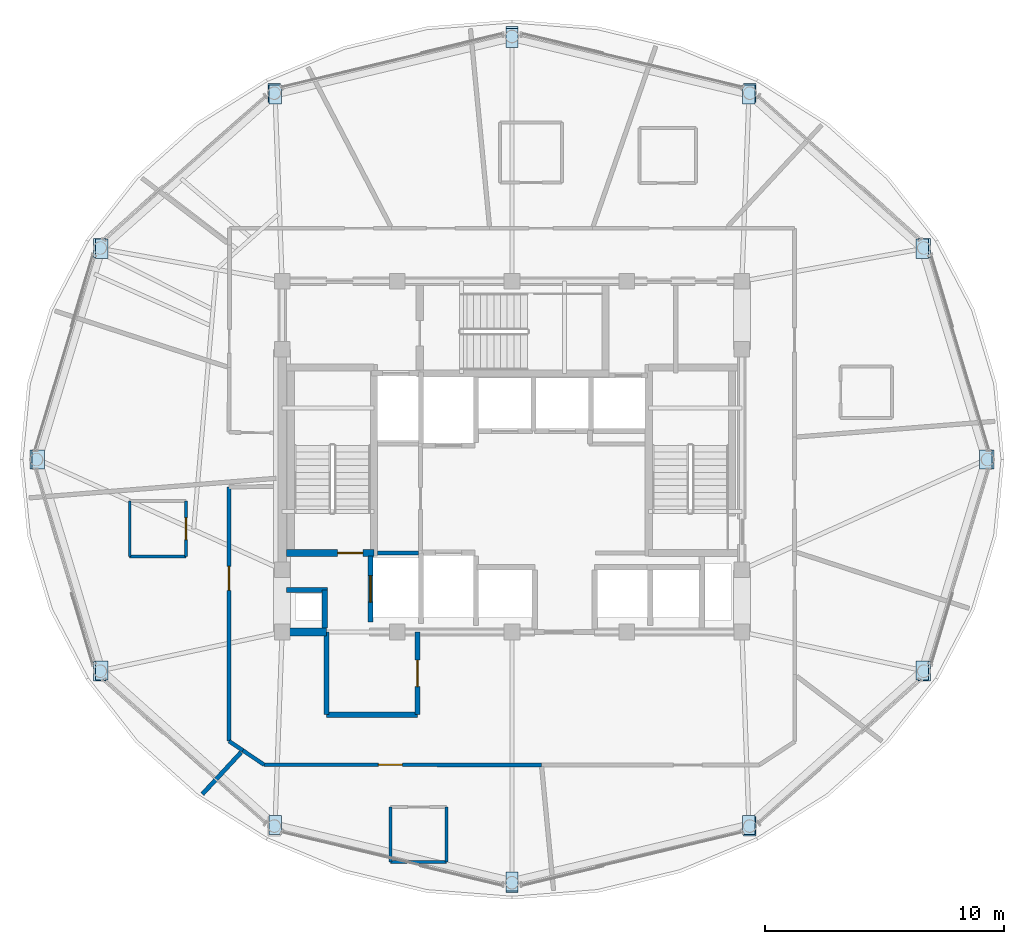
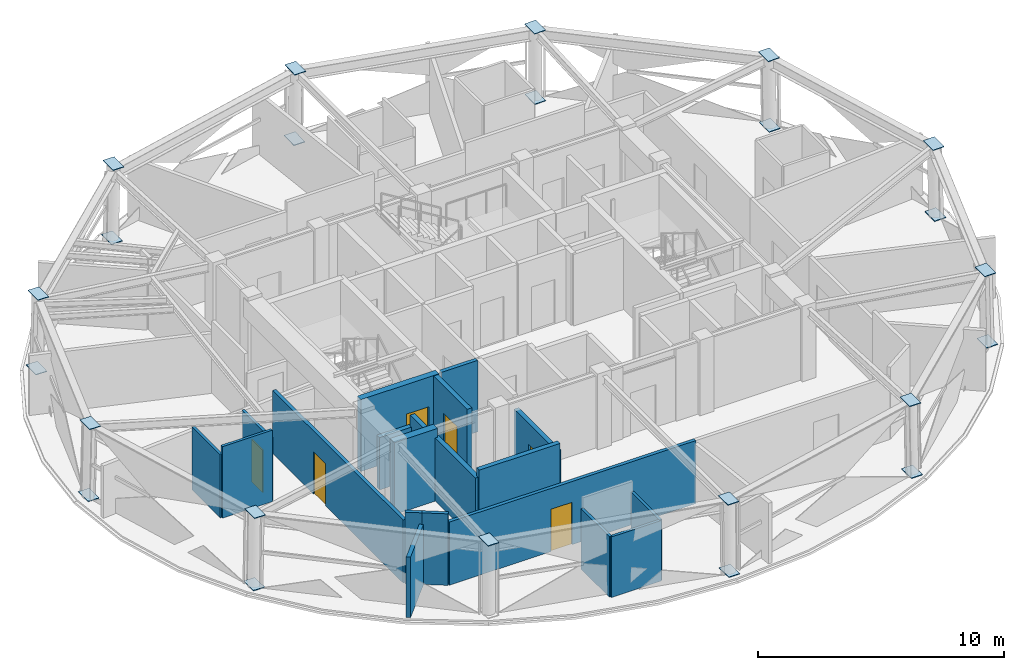
# One storey, part 8 of 15: 23 plates, 20 walls, 6 doors, 6 openings.
"""IFC4 building model written with IfcOpenShell, lengths in metres."""

from ifc_helpers import new_model, si_unit, direction, frame, frame_2d, origin, place, context, subcontext, project, spatial, polyline, rectangle, outline, extrude, material, layer, layer_set, type_object, element, fill, save


model = new_model("IFC4")

# Units and contexts
model_context = context("Model", 3, precision=1e-05, world=origin(), true_north=direction((0.0, 1.0)))
body_context = subcontext(model_context, "Body", "Model", "MODEL_VIEW")
ifc_project = project(units=[si_unit("LENGTHUNIT", "METRE"), si_unit("AREAUNIT", "SQUARE_METRE"), si_unit("VOLUMEUNIT", "CUBIC_METRE"), si_unit("PLANEANGLEUNIT", "RADIAN"), si_unit("MASSUNIT", "GRAM", prefix="KILO")], contexts=[model_context])

# Site, building, storey
site_placement = place(None, origin())
site = spatial("IfcSite", under=ifc_project, at=site_placement, CompositionType="ELEMENT")
building_placement = place(site_placement, origin())
building = spatial("IfcBuilding", under=site, at=building_placement, Name="Vantalir Tower", CompositionType="ELEMENT")
storey_placement = place(building_placement, frame((0.0, 0.0, 263.85009765625)))
storey = spatial("IfcBuildingStorey", under=building, at=storey_placement, Name="L66", CompositionType="ELEMENT", Elevation=263.85009765625)

# Plates
ifc_material_1 = material(Name="Steel S460", Category="steel")
ifc_layer_1 = layer(ifc_material_1, 0.031982421875)
ifc_layer_set_1 = layer_set([ifc_layer_1], Name="Steel S460")
plate_type = type_object("IfcPlateType", Name="PLT-KN-Z3", PredefinedType="USERDEFINED", material=ifc_layer_set_1)
for number, where, z_axis, x_axis, name in (
    (1, (51.029541015625, 25.39990234375, 3.588134765625), (-0.022070714593, 0.0, 0.999756412111), (0.0, -1.0, 0.0), "L66 Ring Column Top Cap RC01"),
    (2, (51.10888671875, 25.39990234375, 0.047119140625), (-0.022070714593, 0.0, 0.999756412111), (0.0, -1.0, 0.0), "L66 Ring Column Base Cap RC01"),
):
    element("IfcPlate", number, at=place(storey_placement, frame(where, z_axis=z_axis, x_axis=x_axis)), inside=storey, type_object=plate_type, Name=name, ObjectType="FLANGE_PLATE", PredefinedType="USERDEFINED", context=body_context, shape_type="SweptSolid", body=[
        extrude(outline(polyline([(0.0, 0.0), (0.7998046875, 0.0), (0.7998046875, 0.5199020324635019), (0.0, 0.5199020324635019), (0.0, 0.0)])), origin(), (0.0, 0.0, -1.0), 0.031982421875),
    ])
plate_1_placement = place(storey_placement, frame((48.378662109375, 34.204833984375, 3.593017578125), z_axis=(-0.019255685289, -0.010069344796, 0.999763885565), x_axis=(2.9582e-08, -0.999949284063, -0.010071211508)))
element("IfcPlate", 3, at=plate_1_placement, inside=storey, type_object=plate_type, Name="L66 Ring Column Top Cap RC02", ObjectType="FLANGE_PLATE", PredefinedType="USERDEFINED", context=body_context, shape_type="SweptSolid", body=[
    extrude(outline(polyline([(0.0, 0.0), (0.8000893930310757, 5.421010862427522e-20), (0.7999885979404613, 0.5198717552878571), (0.00014333315256504495, 0.519871802626359), (0.0, 0.0)])), origin(), (0.0, 0.0, -1.0), 0.031982421875),
])
plate_2_placement = place(storey_placement, frame((48.447021484375, 34.240478515625, 0.052001953125), z_axis=(-0.019244285888, -0.010067810795, 0.999764120504), x_axis=(0.0, -0.999949299532, -0.010069675583)))
element("IfcPlate", 4, at=plate_2_placement, inside=storey, type_object=plate_type, Name="L66 Ring Column Base Cap RC02", ObjectType="FLANGE_PLATE", PredefinedType="USERDEFINED", context=body_context, shape_type="SweptSolid", body=[
    extrude(outline(polyline([(0.0, 0.0), (0.80008939303202, 0.0), (0.7999885979395173, 0.5201158506810636), (-0.00010079509250271495, 0.5201158506810636), (0.0, 0.0)])), origin(), (0.0, 0.0, -1.0), 0.031982421875),
])
plate_3_placement = place(storey_placement, frame((41.134765625, 40.651611328125, 3.597900390625), z_axis=(-0.011273267546, -0.017090434073, 0.999790393284), x_axis=(0.0, -0.999853929301, -0.017091520159)))
element("IfcPlate", 5, at=plate_3_placement, inside=storey, type_object=plate_type, Name="L66 Ring Column Top Cap RC03", ObjectType="FLANGE_PLATE", PredefinedType="USERDEFINED", context=body_context, shape_type="SweptSolid", body=[
    extrude(outline(polyline([(0.0, 0.0), (0.7999215325974094, 2.710505431213761e-20), (0.800065491934686, 0.5200525781468777), (0.00014395933727666182, 0.5200525781468777), (0.0, 0.0)])), origin(), (0.0, 0.0, -1.0), 0.031982421875),
])
plate_4_placement = place(storey_placement, frame((41.17431640625, 40.712158203125, 0.056884765625), z_axis=(-0.011269256107, -0.017087827576, 0.999790483059), x_axis=(2.9377e-08, -0.999853973875, -0.017088912392)))
element("IfcPlate", 6, at=plate_4_placement, inside=storey, type_object=plate_type, Name="L66 Ring Column Base Cap RC03", ObjectType="FLANGE_PLATE", PredefinedType="USERDEFINED", context=body_context, shape_type="SweptSolid", body=[
    extrude(outline(polyline([(0.0, 0.0), (0.800165637568779, -2.710505431213761e-20), (0.800065522499516, 0.5200525311249645), (0.00014398990482752288, 0.5200525781342319), (0.0, 0.0)])), origin(), (0.0, 0.0, -1.0), 0.031982421875),
])
for number, where, z_axis, x_axis, name in (
    (7, (31.239990234375, 43.010498046875, 3.601806640625), (0.0, -0.019837365478, 0.999803220104), (0.0, -0.999803220104, -0.019837365478), "L66 Ring Column Top Cap RC04"),
    (8, (31.239990234375, 43.080810546875, 0.060791015625), (0.0, -0.019837365478, 0.999803220104), (0.0, -0.999803220104, -0.019837365478), "L66 Ring Column Base Cap RC04"),
):
    element("IfcPlate", number, at=place(storey_placement, frame(where, z_axis=z_axis, x_axis=x_axis)), inside=storey, type_object=plate_type, Name=name, ObjectType="FLANGE_PLATE", PredefinedType="USERDEFINED", context=body_context, shape_type="SweptSolid", body=[
        extrude(outline(polyline([(0.0, 0.0), (0.7999621039593994, 0.0), (0.7999621039593994, 0.52001953125), (0.0, 0.52001953125), (0.0, 0.0)])), origin(), (0.0, 0.0, -1.0), 0.031982421875),
    ])
plate_5_placement = place(storey_placement, frame((21.34521484375, 40.651611328125, 3.75732421875), z_axis=(0.010799894215, -0.016477802161, 0.999805903324), x_axis=(-2.7149e-08, -0.999864215968, -0.016478762918)))
element("IfcPlate", 9, at=plate_5_placement, inside=storey, type_object=plate_type, Name="L66 Ring Column Top Cap RC05", ObjectType="FLANGE_PLATE", PredefinedType="USERDEFINED", context=body_context, shape_type="SweptSolid", body=[
    extrude(outline(polyline([(0.0, 0.0), (0.800157443584889, 2.710505431213761e-20), (0.8000058541082874, 0.5200498825687642), (9.251799799978796e-05, 0.5200498391259535), (0.0, 0.0)])), origin(), (0.0, 0.0, -1.0), 0.031982421875),
])
plate_6_placement = place(storey_placement, frame((21.3056640625, 40.7119140625, 0.062255859375), z_axis=(0.010804966377, -0.016477801258, 0.999805848536), x_axis=(2.717e-08, -0.999864215958, -0.016478763505)))
element("IfcPlate", 10, at=plate_6_placement, inside=storey, type_object=plate_type, Name="L66 Ring Column Base Cap RC05", ObjectType="FLANGE_PLATE", PredefinedType="USERDEFINED", context=body_context, shape_type="SweptSolid", body=[
    extrude(outline(polyline([(0.0, 0.0), (0.7999133361102888, 0.0), (0.8000058823518815, 0.5198057127308285), (-0.00015156123300632353, 0.5198057562073056), (0.0, 0.0)])), origin(), (0.0, 0.0, -1.0), 0.031982421875),
])
plate_7_placement = place(storey_placement, frame((14.1015625, 34.20458984375, 3.756591796875), z_axis=(0.018551518641, -0.009611818603, 0.999781703223), x_axis=(2.857889e-06, -0.999953788987, -0.009613526051)))
element("IfcPlate", 11, at=plate_7_placement, inside=storey, type_object=plate_type, Name="L66 Ring Column Top Cap RC06", ObjectType="FLANGE_PLATE", PredefinedType="USERDEFINED", context=body_context, shape_type="SweptSolid", body=[
    extrude(outline(polyline([(0.0, 0.0), (0.7998428333871584, 5.421010862427522e-20), (0.799935853885685, 0.519862569847875), (-0.00014876179222937083, 0.5198671430501846), (0.0, 0.0)])), origin(), (0.0, 0.0, -1.0), 0.031982421875),
])
plate_8_placement = place(storey_placement, frame((14.032958984375, 34.240478515625, 0.0615234375), z_axis=(0.018542812003, -0.009611820155, 0.999781864727), x_axis=(-2.855685e-06, -0.999953790006, -0.009613420067)))
element("IfcPlate", 12, at=plate_8_placement, inside=storey, type_object=plate_type, Name="L66 Ring Column Base Cap RC06", ObjectType="FLANGE_PLATE", PredefinedType="USERDEFINED", context=body_context, shape_type="SweptSolid", body=[
    extrude(outline(polyline([(0.0, 0.0), (0.8000846156909813, -5.421010862427522e-20), (0.7999328823910317, 0.5201112397481246), (9.00490169299255e-05, 0.5201066700734744), (0.0, 0.0)])), origin(), (0.0, 0.0, -1.0), 0.031982421875),
])
for number, where, z_axis, x_axis, name in (
    (13, (11.45068359375, 25.39990234375, 3.599609375), (0.022070714593, 0.0, 0.999756412111), (0.0, -1.0, 0.0), "L66 Ring Column Top Cap RC07"),
    (14, (11.371337890625, 25.39990234375, 0.05859375), (0.022070714593, 0.0, 0.999756412111), (0.0, -1.0, 0.0), "L66 Ring Column Base Cap RC07"),
):
    element("IfcPlate", number, at=place(storey_placement, frame(where, z_axis=z_axis, x_axis=x_axis)), inside=storey, type_object=plate_type, Name=name, ObjectType="FLANGE_PLATE", PredefinedType="USERDEFINED", context=body_context, shape_type="SweptSolid", body=[
        extrude(outline(polyline([(0.0, 0.0), (0.7998046875, 0.0), (0.7998046875, 0.5199020324635019), (0.0, 0.5199020324635019), (0.0, 0.0)])), origin(), (0.0, 0.0, -1.0), 0.031982421875),
    ])
plate_9_placement = place(storey_placement, frame((14.1015625, 16.59423828125, 3.594970703125), z_axis=(0.019253379899, 0.009762753454, 0.999766970852), x_axis=(0.0, -0.999952325514, 0.009764563447)))
element("IfcPlate", 15, at=plate_9_placement, inside=storey, type_object=plate_type, Name="L66 Ring Column Top Cap RC08", ObjectType="FLANGE_PLATE", PredefinedType="USERDEFINED", context=body_context, shape_type="SweptSolid", body=[
    extrude(outline(polyline([(0.0, 0.0), (0.8000869718602072, 0.0), (0.7999892308686704, 0.519871755872482), (-9.774099153682507e-05, 0.5198717558724819), (0.0, 0.0)])), origin(), (0.0, 0.0, -1.0), 0.031982421875),
])
plate_10_placement = place(storey_placement, frame((14.032958984375, 16.5595703125, 0.053955078125), z_axis=(0.019244344102, 0.009762755152, 0.999767144805), x_axis=(0.0, -0.999952325514, 0.009764563447)))
element("IfcPlate", 16, at=plate_10_placement, inside=storey, type_object=plate_type, Name="L66 Ring Column Base Cap RC08", ObjectType="FLANGE_PLATE", PredefinedType="USERDEFINED", context=body_context, shape_type="SweptSolid", body=[
    extrude(outline(polyline([(0.0, 0.0), (0.8000869718602072, -2.710505431213761e-20), (0.7999892308686704, 0.520115851263962), (-9.774099153682507e-05, 0.5201158512639619), (0.0, 0.0)])), origin(), (0.0, 0.0, -1.0), 0.031982421875),
])
plate_11_placement = place(storey_placement, frame((21.34521484375, 10.1484375, 3.590087890625), z_axis=(0.011273267546, 0.017090434073, 0.999790393284), x_axis=(0.0, -0.999853929301, 0.017091520159)))
element("IfcPlate", 17, at=plate_11_placement, inside=storey, type_object=plate_type, Name="L66 Ring Column Top Cap RC09", ObjectType="FLANGE_PLATE", PredefinedType="USERDEFINED", context=body_context, shape_type="SweptSolid", body=[
    extrude(outline(polyline([(0.0, 0.0), (0.7999215325974094, 2.710505431213761e-20), (0.800065491934686, 0.5200525781468777), (0.00014395933727666182, 0.5200525781468777), (0.0, 0.0)])), origin(), (0.0, 0.0, -1.0), 0.031982421875),
])
for number, where, z_axis, x_axis, name in (
    (18, (31.239990234375, 7.789306640625, 3.5859375), (0.0, 0.019837365478, 0.999803220104), (0.0, -0.999803220104, 0.019837365478), "L66 Ring Column Top Cap RC10"),
    (19, (31.239990234375, 7.718994140625, 0.044921875), (0.0, 0.019837365478, 0.999803220104), (0.0, -0.999803220104, 0.019837365478), "L66 Ring Column Base Cap RC10"),
):
    element("IfcPlate", number, at=place(storey_placement, frame(where, z_axis=z_axis, x_axis=x_axis)), inside=storey, type_object=plate_type, Name=name, ObjectType="FLANGE_PLATE", PredefinedType="USERDEFINED", context=body_context, shape_type="SweptSolid", body=[
        extrude(outline(polyline([(0.0, 0.0), (0.7999621039593994, 0.0), (0.7999621039593994, 0.52001953125), (0.0, 0.52001953125), (0.0, 0.0)])), origin(), (0.0, 0.0, -1.0), 0.031982421875),
    ])
plate_12_placement = place(storey_placement, frame((41.134765625, 10.148193359375, 3.584228515625), z_axis=(-0.011273267546, 0.017090434073, 0.999790393284), x_axis=(0.0, -0.999853929301, 0.017091520159)))
element("IfcPlate", 20, at=plate_12_placement, inside=storey, type_object=plate_type, Name="L66 Ring Column Top Cap RC11", ObjectType="FLANGE_PLATE", PredefinedType="USERDEFINED", context=body_context, shape_type="SweptSolid", body=[
    extrude(outline(polyline([(0.0, 0.0), (0.7999215325974094, -2.710505431213761e-20), (0.7997775732601328, 0.5200525781468778), (-0.00014395933727666182, 0.5200525781468777), (0.0, 0.0)])), origin(), (0.0, 0.0, -1.0), 0.031982421875),
])
plate_13_placement = place(storey_placement, frame((41.17431640625, 10.087890625, 0.043212890625), z_axis=(-0.011269256107, 0.017087827576, 0.999790483059), x_axis=(-2.9377e-08, -0.999853973875, 0.017088912392)))
element("IfcPlate", 21, at=plate_13_placement, inside=storey, type_object=plate_type, Name="L66 Ring Column Base Cap RC11", ObjectType="FLANGE_PLATE", PredefinedType="USERDEFINED", context=body_context, shape_type="SweptSolid", body=[
    extrude(outline(polyline([(0.0, 0.0), (0.800165637568779, 2.710505431213761e-20), (0.8000216476639513, 0.5200525781342319), (0.00010011506926300839, 0.5200525311249645), (0.0, 0.0)])), origin(), (0.0, 0.0, -1.0), 0.031982421875),
])
plate_14_placement = place(storey_placement, frame((48.378662109375, 16.59423828125, 3.5849609375), z_axis=(-0.019253379899, 0.009762753454, 0.999766970852), x_axis=(0.0, -0.999952325514, 0.009764563447)))
element("IfcPlate", 22, at=plate_14_placement, inside=storey, type_object=plate_type, Name="L66 Ring Column Top Cap RC12", ObjectType="FLANGE_PLATE", PredefinedType="USERDEFINED", context=body_context, shape_type="SweptSolid", body=[
    extrude(outline(polyline([(0.0, 0.0), (0.8000869718602072, 0.0), (0.800184712851744, 0.5198717558724819), (9.774099153682507e-05, 0.5198717558724819), (0.0, 0.0)])), origin(), (0.0, 0.0, -1.0), 0.031982421875),
])
plate_15_placement = place(storey_placement, frame((48.447021484375, 16.5595703125, 0.0439453125), z_axis=(-0.019244344102, 0.009762755152, 0.999767144805), x_axis=(0.0, -0.999952325514, 0.009764563447)))
element("IfcPlate", 23, at=plate_15_placement, inside=storey, type_object=plate_type, Name="L66 Ring Column Base Cap RC12", ObjectType="FLANGE_PLATE", PredefinedType="USERDEFINED", context=body_context, shape_type="SweptSolid", body=[
    extrude(outline(polyline([(0.0, 0.0), (0.8000869718602072, 2.710505431213761e-20), (0.800184712851744, 0.5201158512639619), (9.774099153682507e-05, 0.5201158512639619), (0.0, 0.0)])), origin(), (0.0, 0.0, -1.0), 0.031982421875),
])

# Walls
ifc_material_2 = material(Name="Moisture-resistant en-suite partition", Category="gypsum")
ifc_layer_2 = layer(ifc_material_2, 0.125)
ifc_layer_set_2 = layer_set([ifc_layer_2], Name="Moisture-resistant en-suite partition")
wall_type_1 = type_object("IfcWallType", Name="WL-BATH-125", PredefinedType="PARTITIONING", material=ifc_layer_set_2)
wall_1_placement = place(storey_placement, frame((15.5380859375, 20.962890625, 0.0), z_axis=(0.0, 0.0, 1.0), x_axis=(1.0, 0.0, 0.0)))
element("IfcWall", 24, at=wall_1_placement, inside=storey, type_object=wall_type_1, Name="L66 En-suite 08 South Wall", PredefinedType="PARTITIONING", context=body_context, shape_type="SweptSolid", body=[
    extrude(rectangle(XDim=2.349853515625, YDim=0.125, at=frame_2d((1.1748046875, 0.0))), origin(), (0.0, 0.0, 1.0), 3.5498046875),
])
wall_2_placement = place(storey_placement, frame((15.5380859375, 20.962890625, 0.0), z_axis=(0.0, 0.0, 1.0), x_axis=(0.0, 1.0, 0.0)))
element("IfcWall", 25, at=wall_2_placement, inside=storey, type_object=wall_type_1, Name="L66 En-suite 08 West Wall", PredefinedType="PARTITIONING", context=body_context, shape_type="SweptSolid", body=[
    extrude(rectangle(XDim=2.300048828125, YDim=0.125, at=frame_2d((1.14990234375, 0.0))), origin(), (0.0, 0.0, 1.0), 3.1318359375),
])

# Wall, opening, door
wall_3_placement = place(storey_placement, frame((17.887939453125, 20.962890625, 0.0), z_axis=(0.0, 0.0, 1.0), x_axis=(0.0, 1.0, 0.0)))
wall_3 = element("IfcWall", 26, at=wall_3_placement, inside=storey, type_object=wall_type_1, Name="L66 En-suite 08 East Wall", PredefinedType="PARTITIONING", context=body_context, shape_type="SweptSolid", body=[
    extrude(rectangle(XDim=2.300048828125, YDim=0.125, at=frame_2d((1.14990234375, 0.0))), origin(), (0.0, 0.0, 1.0), 3.1318359375),
])
opening_1_placement = place(wall_3_placement, frame((0.699951171875, 0.0, 0.0)))
opening_1 = element("IfcOpeningElement", 27, at=opening_1_placement, cuts=wall_3, Name="Opening D-WC", PredefinedType="OPENING", context=body_context, shape_type="SweptSolid", body=[
    extrude(rectangle(XDim=0.89990234375, YDim=2.10009765625, at=frame_2d((0.449951171875, 1.050048828125))), frame((0.0, 0.072509765625, 0.0), z_axis=(0.0, -1.0, 0.0), x_axis=(1.0, 0.0, 0.0)), (0.0, 0.0, 1.0), 0.14501953125),
])
ifc_material_3 = material(Name="Moisture-resistant hardwood door", Category="wood")
door_type_1 = type_object("IfcDoorType", Name="DR-ENSUITE-900", OperationType="NOTDEFINED", PredefinedType="DOOR", material=ifc_material_3)
door_1_placement = place(opening_1_placement, origin())
door_1 = element("IfcDoor", 28, at=door_1_placement, inside=storey, type_object=door_type_1, Name="L66 En-suite 08 Door", OperationType="SINGLE_SWING_LEFT", OverallHeight=2.10009765625, OverallWidth=0.89990234375, PredefinedType="DOOR", context=body_context, shape_type="SweptSolid", body=[
    extrude(rectangle(XDim=0.89990234375, YDim=2.10009765625, at=frame_2d((0.449951171875, 1.050048828125))), frame((0.0, 0.02490234375, 0.0), z_axis=(0.0, -1.0, 0.0), x_axis=(1.0, 0.0, 0.0)), (0.0, 0.0, 1.0), 0.050048828125),
])
fill(opening_1, door_1)

# Walls
wall_4_placement = place(storey_placement, frame((26.425048828125, 8.19189453125, 0.0), z_axis=(0.0, 0.0, 1.0), x_axis=(1.0, 0.0, 0.0)))
element("IfcWall", 29, at=wall_4_placement, inside=storey, type_object=wall_type_1, Name="L66 En-suite 09 South Wall", PredefinedType="PARTITIONING", context=body_context, shape_type="SweptSolid", body=[
    extrude(rectangle(XDim=2.349853515625, YDim=0.125, at=frame_2d((1.1748046875, 0.0))), origin(), (0.0, 0.0, 1.0), 3.0029296875),
])
for number, where, z_axis, x_axis, name in (
    (30, (26.425048828125, 8.19189453125, 0.0), (0.0, 0.0, 1.0), (0.0, 1.0, 0.0), "L66 En-suite 09 West Wall"),
    (31, (28.77490234375, 8.19189453125, 0.0), (0.0, 0.0, 1.0), (0.0, 1.0, 0.0), "L66 En-suite 09 East Wall"),
):
    element("IfcWall", number, at=place(storey_placement, frame(where, z_axis=z_axis, x_axis=x_axis)), inside=storey, type_object=wall_type_1, Name=name, PredefinedType="PARTITIONING", context=body_context, shape_type="SweptSolid", body=[
        extrude(rectangle(XDim=2.300048828125, YDim=0.125, at=frame_2d((1.14990234375, 0.0))), origin(), (0.0, 0.0, 1.0), 3.0029296875),
    ])
ifc_material_4 = material(Name="Concrete C50/60", Category="concrete")
ifc_layer_3 = layer(ifc_material_4, 0.35009765625)
ifc_layer_set_3 = layer_set([ifc_layer_3], Name="Concrete C50/60")
wall_type_2 = type_object("IfcWallType", Name="WL-CORE-350", PredefinedType="SHEAR", material=ifc_layer_set_3)
wall_5_placement = place(storey_placement, frame((21.72509765625, 17.800048828125, 0.0), z_axis=(0.0, 0.0, 1.0), x_axis=(1.0, 0.0, 0.0)))
element("IfcWall", 32, at=wall_5_placement, inside=storey, type_object=wall_type_2, Name="L66 Core Shear Wall South-West", PredefinedType="SHEAR", context=body_context, shape_type="SweptSolid", body=[
    extrude(rectangle(XDim=2.02490234375, YDim=0.35009765625, at=frame_2d((1.012451171875, 0.0))), origin(), (0.0, 0.0, 1.0), 3.56982421875),
])

# Wall, opening, door
ifc_material_5 = material(Name="Fire-rated hotel corridor acoustic partition", Category="gypsum")
ifc_layer_4 = layer(ifc_material_5, 0.159912109375)
ifc_layer_set_4 = layer_set([ifc_layer_4], Name="Fire-rated hotel corridor acoustic partition")
wall_type_3 = type_object("IfcWallType", Name="WL-CORR-160", PredefinedType="PARTITIONING", material=ifc_layer_set_4)
wall_6_placement = place(storey_placement, frame((32.72998046875, 12.2529296875, 0.0), z_axis=(0.0, 0.0, 1.0), x_axis=(-0.99999996242, 0.000274151701, 0.0)))
wall_6 = element("IfcWall", 33, at=wall_6_placement, inside=storey, type_object=wall_type_3, Name="L66 Corridor Partition 16", PredefinedType="PARTITIONING", context=body_context, shape_type="SweptSolid", body=[
    extrude(rectangle(XDim=11.576904296875, YDim=0.159912109375, at=frame_2d((5.78857421875, 0.0))), origin(), (0.0, 0.0, 1.0), 3.1318359375),
])
opening_2_placement = place(wall_6_placement, frame((5.80908203125, 0.0, 0.0)))
opening_2 = element("IfcOpeningElement", 34, at=opening_2_placement, cuts=wall_6, Name="Opening D-GUEST", PredefinedType="OPENING", context=body_context, shape_type="SweptSolid", body=[
    extrude(rectangle(XDim=1.0, YDim=2.10009765625, at=frame_2d((0.5, 1.050048828125))), frame((0.0, 0.08984375, 0.0), z_axis=(0.0, -1.0, 0.0), x_axis=(1.0, 0.0, 0.0)), (0.0, 0.0, 1.0), 0.179931640625),
])
ifc_material_6 = material(Name="Solid-core teak veneer acoustic fire door", Category="wood")
door_type_2 = type_object("IfcDoorType", Name="DR-GUEST-ENTRY-1000", OperationType="NOTDEFINED", PredefinedType="DOOR", material=ifc_material_6)
door_2_placement = place(opening_2_placement, origin())
door_2 = element("IfcDoor", 35, at=door_2_placement, inside=storey, type_object=door_type_2, Name="L66 Deluxe King Hotel Room 09 Door", OperationType="SINGLE_SWING_LEFT", OverallHeight=2.10009765625, OverallWidth=1.0, PredefinedType="DOOR", context=body_context, shape_type="SweptSolid", body=[
    extrude(rectangle(XDim=1.0, YDim=2.10009765625, at=frame_2d((0.5, 1.050048828125))), frame((0.0, 0.02490234375, 0.0), z_axis=(0.0, -1.0, 0.0), x_axis=(1.0, 0.0, 0.0)), (0.0, 0.0, 1.0), 0.050048828125),
])
fill(opening_2, door_2)

# Walls
wall_7_placement = place(storey_placement, frame((21.153076171875, 12.256103515625, 0.0), z_axis=(0.0, 0.0, 1.0), x_axis=(-0.830125096925, 0.557577190581, 0.0)))
element("IfcWall", 36, at=wall_7_placement, inside=storey, type_object=wall_type_3, Name="L66 Corridor Partition 17", PredefinedType="PARTITIONING", context=body_context, shape_type="SweptSolid", body=[
    extrude(rectangle(XDim=1.075927734375, YDim=0.159912109375, at=frame_2d((0.5380859375, 0.0))), origin(), (0.0, 0.0, 1.0), 3.5498046875),
])
wall_8_placement = place(storey_placement, frame((20.260009765625, 12.85595703125, 0.0), z_axis=(0.0, 0.0, 1.0), x_axis=(-0.8302560917, 0.557382115065, 0.0)))
element("IfcWall", 37, at=wall_8_placement, inside=storey, type_object=wall_type_3, Name="L66 Corridor Partition 18", PredefinedType="PARTITIONING", context=body_context, shape_type="SweptSolid", body=[
    extrude(rectangle(XDim=0.6923828125, YDim=0.159912109375, at=frame_2d((0.34619140625, 0.0))), origin(), (0.0, 0.0, 1.0), 3.5498046875),
])

# Wall, opening, door
wall_9_placement = place(storey_placement, frame((19.68505859375, 13.241943359375, 0.0), z_axis=(0.0, 0.0, 1.0), x_axis=(0.0, 1.0, 0.0)))
wall_9 = element("IfcWall", 38, at=wall_9_placement, inside=storey, type_object=wall_type_3, Name="L66 Corridor Partition 19", PredefinedType="PARTITIONING", context=body_context, shape_type="SweptSolid", body=[
    extrude(rectangle(XDim=10.608154296875, YDim=0.159912109375, at=frame_2d((5.30419921875, 0.0))), origin(), (0.0, 0.0, 1.0), 3.1318359375),
])
opening_3_placement = place(wall_9_placement, frame((6.302001953125, 0.0, 0.0)))
opening_3 = element("IfcOpeningElement", 39, at=opening_3_placement, cuts=wall_9, Name="Opening D-GUEST", PredefinedType="OPENING", context=body_context, shape_type="SweptSolid", body=[
    extrude(rectangle(XDim=1.0, YDim=2.10009765625, at=frame_2d((0.5, 1.050048828125))), frame((0.0, 0.08984375, 0.0), z_axis=(0.0, -1.0, 0.0), x_axis=(1.0, 0.0, 0.0)), (0.0, 0.0, 1.0), 0.179931640625),
])
door_3_placement = place(opening_3_placement, origin())
door_3 = element("IfcDoor", 40, at=door_3_placement, inside=storey, type_object=door_type_2, Name="L66 Twin Queen Hotel Room 08 Door", OperationType="SINGLE_SWING_RIGHT", OverallHeight=2.10009765625, OverallWidth=1.0, PredefinedType="DOOR", context=body_context, shape_type="SweptSolid", body=[
    extrude(rectangle(XDim=1.0, YDim=2.10009765625, at=frame_2d((0.5, 1.050048828125))), frame((0.0, 0.02490234375, 0.0), z_axis=(0.0, -1.0, 0.0), x_axis=(1.0, 0.0, 0.0)), (0.0, 0.0, 1.0), 0.050048828125),
])
fill(opening_3, door_3)

# Walls
ifc_material_7 = material(Name="Concrete blockwork with fireboard lining", Category="masonry")
ifc_layer_5 = layer(ifc_material_7, 0.219970703125)
ifc_layer_set_5 = layer_set([ifc_layer_5], Name="Concrete blockwork with fireboard lining")
wall_type_4 = type_object("IfcWallType", Name="WL-FFL-220", PredefinedType="PARTITIONING", material=ifc_layer_set_5)
wall_10_placement = place(storey_placement, frame((23.679931640625, 17.97509765625, 0.0), z_axis=(0.0, 0.0, 1.0), x_axis=(0.0, 1.0, 0.0)))
element("IfcWall", 41, at=wall_10_placement, inside=storey, type_object=wall_type_4, Name="L66 West MEP Riser Wall E", PredefinedType="PARTITIONING", context=body_context, shape_type="SweptSolid", body=[
    extrude(rectangle(XDim=1.574951171875, YDim=0.219970703125, at=frame_2d((0.78759765625, 0.0))), origin(), (0.0, 0.0, 1.0), 3.1318359375),
])
wall_11_placement = place(storey_placement, frame((22.074951171875, 19.550048828125, 0.0), z_axis=(0.0, 0.0, 1.0), x_axis=(1.0, 0.0, 0.0)))
element("IfcWall", 42, at=wall_11_placement, inside=storey, type_object=wall_type_4, Name="L66 West MEP Riser Wall N", PredefinedType="PARTITIONING", context=body_context, shape_type="SweptSolid", body=[
    extrude(rectangle(XDim=1.715087890625, YDim=0.219970703125, at=frame_2d((0.857421875, 0.0))), origin(), (0.0, 0.0, 1.0), 2.594970703125),
])

# Wall, opening, door
wall_12_placement = place(storey_placement, frame((25.590087890625, 18.219970703125, 0.0), z_axis=(0.0, 0.0, 1.0), x_axis=(0.0, 1.0, 0.0)))
wall_12 = element("IfcWall", 43, at=wall_12_placement, inside=storey, type_object=wall_type_4, Name="L66 Lift FL1 Shaft Front Wall", PredefinedType="PARTITIONING", context=body_context, shape_type="SweptSolid", body=[
    extrude(rectangle(XDim=2.760009765625, YDim=0.219970703125, at=frame_2d((1.3798828125, 0.0))), origin(), (0.0, 0.0, 1.0), 3.5498046875),
])
opening_4_placement = place(wall_12_placement, frame((0.830078125, 0.0, 0.0)))
opening_4 = element("IfcOpeningElement", 44, at=opening_4_placement, cuts=wall_12, Name="Opening LD-FL1", PredefinedType="OPENING", context=body_context, shape_type="SweptSolid", body=[
    extrude(rectangle(XDim=1.10009765625, YDim=2.199951171875, at=frame_2d((0.550048828125, 1.10009765625))), frame((0.0, 0.119873046875, 0.0), z_axis=(0.0, -1.0, 0.0), x_axis=(1.0, 0.0, 0.0)), (0.0, 0.0, 1.0), 0.239990234375),
])
ifc_material_8 = material(Name="Brushed stainless-steel sliding lift landing door", Category="steel")
door_type_3 = type_object("IfcDoorType", Name="DR-LIFT-LANDING-1100", OperationType="DOUBLE_DOOR_SLIDING", PredefinedType="DOOR", material=ifc_material_8)
door_4_placement = place(opening_4_placement, origin())
door_4 = element("IfcDoor", 45, at=door_4_placement, inside=storey, type_object=door_type_3, Name="L66 Lift Landing Door FL1", OperationType="DOUBLE_DOOR_SLIDING", OverallHeight=2.199951171875, OverallWidth=1.10009765625, PredefinedType="DOOR", context=body_context, shape_type="SweptSolid", body=[
    extrude(rectangle(XDim=1.10009765625, YDim=2.199951171875, at=frame_2d((0.550048828125, 1.10009765625))), frame((0.0, 0.02490234375, 0.0), z_axis=(0.0, -1.0, 0.0), x_axis=(1.0, 0.0, 0.0)), (0.0, 0.0, 1.0), 0.050048828125),
])
fill(opening_4, door_4)

# Walls
wall_13_placement = place(storey_placement, frame((23.75, 14.35009765625, 0.0), z_axis=(0.0, 0.0, 1.0), x_axis=(0.0, 1.0, 0.0)))
element("IfcWall", 46, at=wall_13_placement, inside=storey, type_object=wall_type_4, Name="L66 Firefighting Lobby West Outer W", PredefinedType="PARTITIONING", context=body_context, shape_type="SweptSolid", body=[
    extrude(rectangle(XDim=3.449951171875, YDim=0.219970703125, at=frame_2d((1.72509765625, 0.0))), origin(), (0.0, 0.0, 1.0), 3.1318359375),
])
wall_14_placement = place(storey_placement, frame((23.75, 14.35009765625, 0.0), z_axis=(0.0, 0.0, 1.0), x_axis=(1.0, 0.0, 0.0)))
element("IfcWall", 47, at=wall_14_placement, inside=storey, type_object=wall_type_4, Name="L66 Firefighting Lobby West South Wall", PredefinedType="PARTITIONING", context=body_context, shape_type="SweptSolid", body=[
    extrude(rectangle(XDim=3.800048828125, YDim=0.219970703125, at=frame_2d((1.89990234375, 0.0))), origin(), (0.0, 0.0, 1.0), 3.5498046875),
])

# Wall, opening, door
wall_15_placement = place(storey_placement, frame((27.550048828125, 14.35009765625, 0.0), z_axis=(0.0, 0.0, 1.0), x_axis=(0.0, 1.0, 0.0)))
wall_15 = element("IfcWall", 48, at=wall_15_placement, inside=storey, type_object=wall_type_4, Name="L66 Firefighting Lobby West East Wall", PredefinedType="PARTITIONING", context=body_context, shape_type="SweptSolid", body=[
    extrude(rectangle(XDim=3.449951171875, YDim=0.219970703125, at=frame_2d((1.72509765625, 0.0))), origin(), (0.0, 0.0, 1.0), 3.1318359375),
])
opening_5_placement = place(wall_15_placement, frame((1.175048828125, 0.0, 0.0)))
opening_5 = element("IfcOpeningElement", 49, at=opening_5_placement, cuts=wall_15, Name="Opening D-FFL", PredefinedType="OPENING", context=body_context, shape_type="SweptSolid", body=[
    extrude(rectangle(XDim=1.10009765625, YDim=2.10009765625, at=frame_2d((0.550048828125, 1.050048828125))), frame((0.0, 0.119873046875, 0.0), z_axis=(0.0, -1.0, 0.0), x_axis=(1.0, 0.0, 0.0)), (0.0, 0.0, 1.0), 0.239990234375),
])
ifc_material_9 = material(Name="Fire-rated acoustic steel door", Category="steel")
door_type_4 = type_object("IfcDoorType", Name="DR-FIRE-LOBBY-1100", OperationType="NOTDEFINED", PredefinedType="DOOR", material=ifc_material_9)
door_5_placement = place(opening_5_placement, origin())
door_5 = element("IfcDoor", 50, at=door_5_placement, inside=storey, type_object=door_type_4, Name="L66 Firefighting Lobby West Access Door", OperationType="SINGLE_SWING_LEFT", OverallHeight=2.10009765625, OverallWidth=1.10009765625, PredefinedType="DOOR", context=body_context, shape_type="SweptSolid", body=[
    extrude(rectangle(XDim=1.10009765625, YDim=2.10009765625, at=frame_2d((0.550048828125, 1.050048828125))), frame((0.0, 0.02490234375, 0.0), z_axis=(0.0, -1.0, 0.0), x_axis=(1.0, 0.0, 0.0)), (0.0, 0.0, 1.0), 0.050048828125),
])
fill(opening_5, door_5)

# Walls
ifc_material_10 = material(Name="Twin-stud acoustic fire-rated gypsum partition", Category="gypsum")
ifc_layer_6 = layer(ifc_material_10, 0.179931640625)
ifc_layer_set_6 = layer_set([ifc_layer_6], Name="Twin-stud acoustic fire-rated gypsum partition")
wall_type_5 = type_object("IfcWallType", Name="WL-GUEST-180", PredefinedType="PARTITIONING", material=ifc_layer_set_6)
wall_16_placement = place(storey_placement, frame((25.889892578125, 21.10009765625, 0.0), z_axis=(0.0, 0.0, 1.0), x_axis=(1.0, 0.0, 0.0)))
element("IfcWall", 51, at=wall_16_placement, inside=storey, type_object=wall_type_5, Name="L66 Freed West Core South Wall", PredefinedType="PARTITIONING", context=body_context, shape_type="SweptSolid", body=[
    extrude(rectangle(XDim=1.7001953125, YDim=0.179931640625, at=frame_2d((0.85009765625, 0.0))), origin(), (0.0, 0.0, 1.0), 3.5498046875),
])
wall_17_placement = place(storey_placement, frame((20.18408203125, 12.77294921875, 0.0), z_axis=(0.0, 0.0, 1.0), x_axis=(-0.679469476933, -0.733703775318, 0.0)))
element("IfcWall", 52, at=wall_17_placement, inside=storey, type_object=wall_type_5, Name="L66 Radial Suite Partition 09", PredefinedType="PARTITIONING", context=body_context, shape_type="SweptSolid", body=[
    extrude(rectangle(XDim=2.376953125, YDim=0.179931640625, at=frame_2d((1.1884765625, 0.0))), origin(), (0.0, 0.0, 1.0), 3.0029296875),
])

# Wall, opening, door
ifc_layer_7 = layer(ifc_material_4, 0.300048828125)
ifc_layer_set_7 = layer_set([ifc_layer_7], Name="Concrete C50/60")
wall_type_6 = type_object("IfcWallType", Name="WL-STAIR-300", PredefinedType="SHEAR", material=ifc_layer_set_7)
wall_18_placement = place(storey_placement, frame((22.074951171875, 21.10009765625, 0.0), z_axis=(0.0, 0.0, 1.0), x_axis=(1.0, 0.0, 0.0)))
wall_18 = element("IfcWall", 53, at=wall_18_placement, inside=storey, type_object=wall_type_6, Name="L66 Stair ST1 South Wall", PredefinedType="SHEAR", context=body_context, shape_type="SweptSolid", body=[
    extrude(rectangle(XDim=3.6650390625, YDim=0.300048828125, at=frame_2d((1.83251953125, 0.0))), origin(), (0.0, 0.0, 1.0), 3.56982421875),
])
opening_6_placement = place(wall_18_placement, frame((2.14501953125, 0.0, 0.0)))
opening_6 = element("IfcOpeningElement", 54, at=opening_6_placement, cuts=wall_18, Name="Opening D-ST", PredefinedType="OPENING", context=body_context, shape_type="SweptSolid", body=[
    extrude(rectangle(XDim=1.050048828125, YDim=2.10009765625, at=frame_2d((0.52490234375, 1.050048828125))), frame((0.0, 0.159912109375, 0.0), z_axis=(0.0, -1.0, 0.0), x_axis=(1.0, 0.0, 0.0)), (0.0, 0.0, 1.0), 0.320068359375),
])
ifc_material_11 = material(Name="Fire-rated steel door leaf", Category="steel")
door_type_5 = type_object("IfcDoorType", Name="DR-FIRE-STAIR-1050", OperationType="NOTDEFINED", PredefinedType="DOOR", material=ifc_material_11)
door_6_placement = place(opening_6_placement, origin())
door_6 = element("IfcDoor", 55, at=door_6_placement, inside=storey, type_object=door_type_5, Name="L66 Exit Stair ST1 Fire Door", OperationType="SINGLE_SWING_LEFT", OverallHeight=2.10009765625, OverallWidth=1.050048828125, PredefinedType="DOOR", context=body_context, shape_type="SweptSolid", body=[
    extrude(rectangle(XDim=1.050048828125, YDim=2.10009765625, at=frame_2d((0.52490234375, 1.050048828125))), frame((0.0, 0.02490234375, 0.0), z_axis=(0.0, -1.0, 0.0), x_axis=(1.0, 0.0, 0.0)), (0.0, 0.0, 1.0), 0.050048828125),
])
fill(opening_6, door_6)

save(model, "model.ifc")
